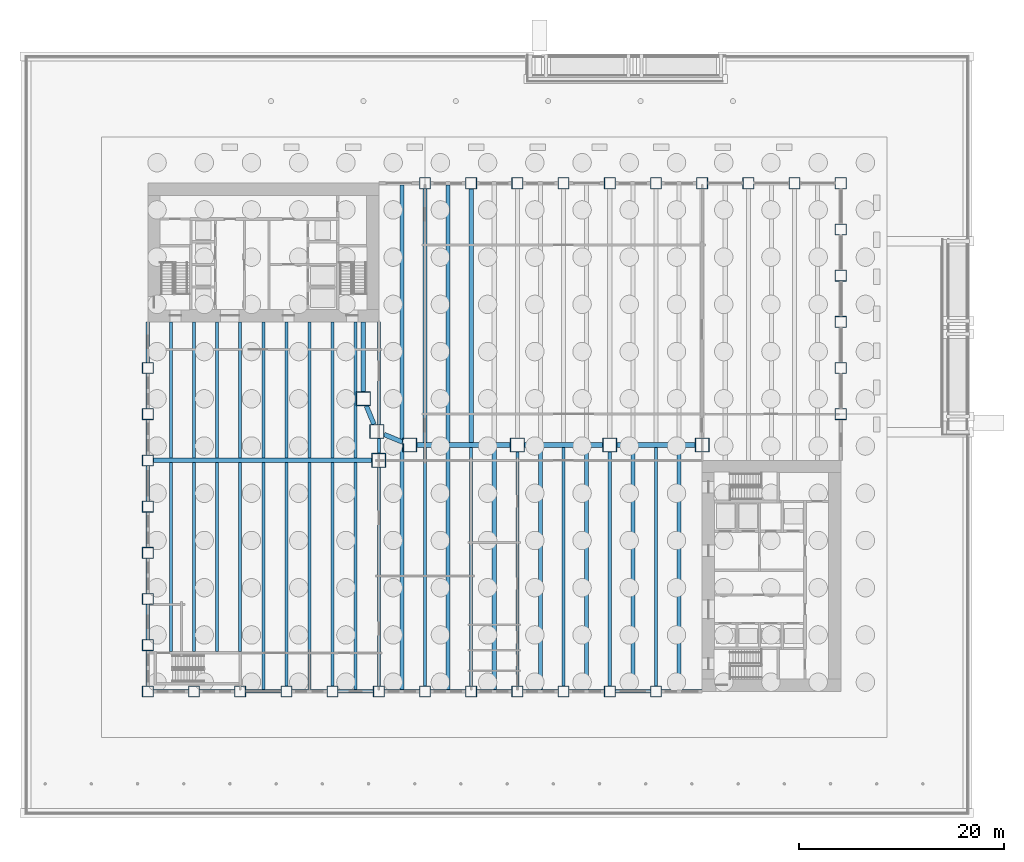
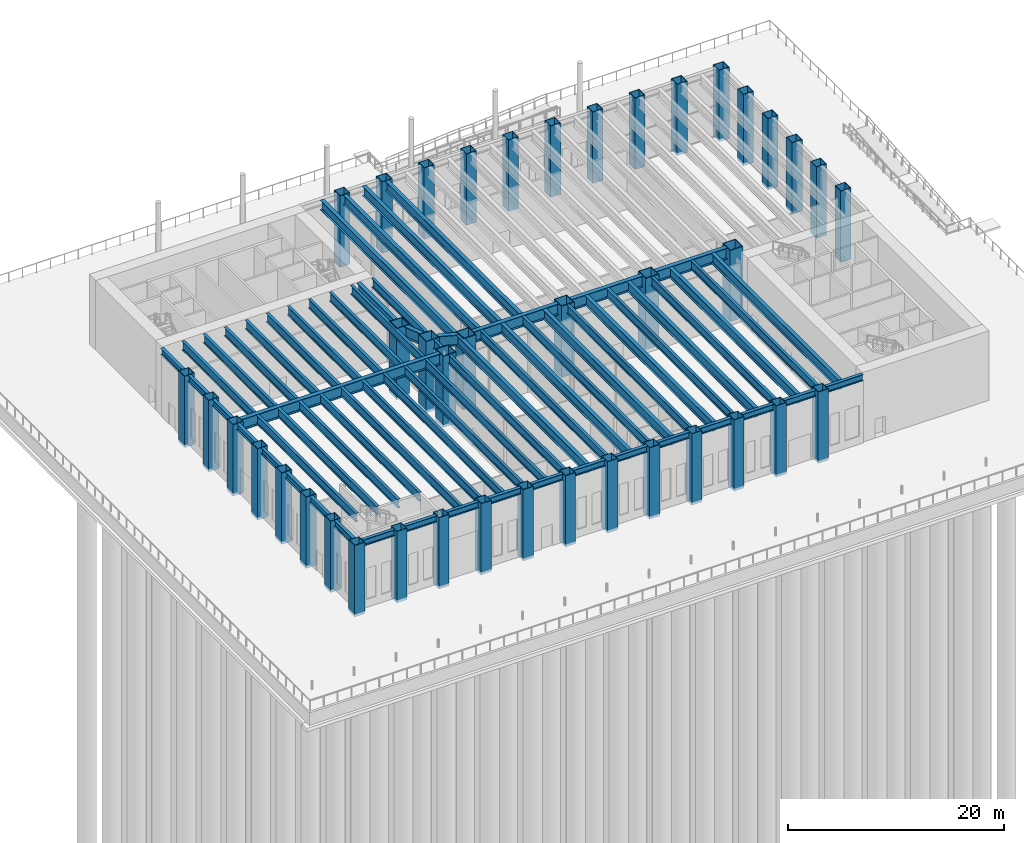
# One storey, part 2 of 26: 65 beams, 41 columns.
"""IFC4 building model written with IfcOpenShell, lengths in metres."""

from ifc_helpers import new_model, si_unit, direction, frame, origin, origin_2d, place, context, subcontext, project, spatial, hollow_rectangle, i_section, extrude, material, material_profile, profile_set, type_object, element, save


model = new_model("IFC4")

# Units and contexts
model_context = context("Model", 3, precision=1e-05, world=origin(), true_north=direction((0.0, 1.0)))
body_context = subcontext(model_context, "Body", "Model", "MODEL_VIEW")
ifc_project = project(units=[si_unit("LENGTHUNIT", "METRE"), si_unit("AREAUNIT", "SQUARE_METRE"), si_unit("VOLUMEUNIT", "CUBIC_METRE"), si_unit("PLANEANGLEUNIT", "RADIAN"), si_unit("MASSUNIT", "GRAM", prefix="KILO")], contexts=[model_context])

# Site, building, storey
site_placement = place(None, origin())
site = spatial("IfcSite", under=ifc_project, at=site_placement, CompositionType="ELEMENT")
building_placement = place(site_placement, origin())
building = spatial("IfcBuilding", under=site, at=building_placement, Name="Sennacour Bend Tower", CompositionType="ELEMENT")
storey_placement = place(building_placement, origin())
storey = spatial("IfcBuildingStorey", under=building, at=storey_placement, Name="L00", CompositionType="ELEMENT", Elevation=0.0)

# Columns
ifc_material_1 = material(Name="Steel ASTM A572 Grade 50", Category="steel")
ifc_material_profile_1 = material_profile(ifc_material_1, hollow_rectangle(XDim=1.10009765625, YDim=1.10009765625, WallThickness=0.06005859375, at=origin_2d()), Name="Steel ASTM A572 Grade 50", Category="steel")
ifc_profile_set_1 = profile_set([ifc_material_profile_1], Name="Steel ASTM A572 Grade 50")
column_type_1 = type_object("IfcColumnType", Name="Box column 1100", PredefinedType="COLUMN", material=ifc_profile_set_1)
for number, where, z_axis, x_axis, name in (
    (1, (0.0, 0.0, -0.300048828125), (0.0, 0.0, 1.0), (1.0, 0.0, 0.0), "Perimeter column C1 L00-001"),
    (2, (0.0, 4.5, -0.300048828125), (0.0, 0.0, 1.0), (1.0, 0.0, 0.0), "Perimeter column C1 L00-002"),
    (3, (0.0, 9.0, -0.300048828125), (0.0, 0.0, 1.0), (1.0, 0.0, 0.0), "Perimeter column C1 L00-003"),
    (4, (0.0, 13.5, -0.300048828125), (0.0, 0.0, 1.0), (1.0, 0.0, 0.0), "Perimeter column C1 L00-004"),
    (5, (0.0, 18.0, -0.300048828125), (0.0, 0.0, 1.0), (1.0, 0.0, 0.0), "Perimeter column C1 L00-005"),
    (6, (0.0, 22.5, -0.300048828125), (0.0, 0.0, 1.0), (1.0, 0.0, 0.0), "Perimeter column C1 L00-006"),
    (7, (0.0, 27.0, -0.300048828125), (0.0, 0.0, 1.0), (1.0, 0.0, 0.0), "Perimeter column C1 L00-007"),
    (8, (0.0, 31.5, -0.300048828125), (0.0, 0.0, 1.0), (1.0, 0.0, 0.0), "Perimeter column C1 L00-008"),
    (9, (4.5, 0.0, -0.300048828125), (0.0, 0.0, 1.0), (1.0, 0.0, 0.0), "Perimeter column C1 L00-009"),
    (10, (9.0, 0.0, -0.300048828125), (0.0, 0.0, 1.0), (1.0, 0.0, 0.0), "Perimeter column C1 L00-010"),
    (11, (13.5, 0.0, -0.300048828125), (0.0, 0.0, 1.0), (1.0, 0.0, 0.0), "Perimeter column C1 L00-011"),
    (12, (18.0, 0.0, -0.300048828125), (0.0, 0.0, 1.0), (1.0, 0.0, 0.0), "Perimeter column C1 L00-012"),
    (13, (22.5, 0.0, -0.300048828125), (0.0, 0.0, 1.0), (1.0, 0.0, 0.0), "Perimeter column C1 L00-015"),
    (14, (27.0, 0.0, -0.300048828125), (0.0, 0.0, 1.0), (1.0, 0.0, 0.0), "Perimeter column C1 L00-018"),
    (15, (27.0, 49.5, -0.300048828125), (0.0, 0.0, 1.0), (1.0, 0.0, 0.0), "Perimeter column C1 L00-019"),
    (16, (31.5, 0.0, -0.300048828125), (0.0, 0.0, 1.0), (1.0, 0.0, 0.0), "Perimeter column C1 L00-020"),
    (17, (31.5, 49.5, -0.300048828125), (0.0, 0.0, 1.0), (1.0, 0.0, 0.0), "Perimeter column C1 L00-021"),
    (18, (36.0, 0.0, -0.300048828125), (0.0, 0.0, 1.0), (1.0, 0.0, 0.0), "Perimeter column C1 L00-022"),
    (19, (36.0, 49.5, -0.300048828125), (0.0, 0.0, 1.0), (1.0, 0.0, 0.0), "Perimeter column C1 L00-024"),
    (20, (40.5, 0.0, -0.300048828125), (0.0, 0.0, 1.0), (1.0, 0.0, 0.0), "Perimeter column C1 L00-025"),
    (21, (40.5, 49.5, -0.300048828125), (0.0, 0.0, 1.0), (1.0, 0.0, 0.0), "Perimeter column C1 L00-026"),
    (22, (45.0, 0.0, -0.300048828125), (0.0, 0.0, 1.0), (1.0, 0.0, 0.0), "Perimeter column C1 L00-027"),
    (23, (45.0, 49.5, -0.300048828125), (0.0, 0.0, 1.0), (1.0, 0.0, 0.0), "Perimeter column C1 L00-029"),
    (24, (49.5, 0.0, -0.300048828125), (0.0, 0.0, 1.0), (1.0, 0.0, 0.0), "Perimeter column C1 L00-030"),
    (25, (49.5, 49.5, -0.300048828125), (0.0, 0.0, 1.0), (1.0, 0.0, 0.0), "Perimeter column C1 L00-031"),
    (26, (54.0, 49.5, -0.300048828125), (0.0, 0.0, 1.0), (1.0, 0.0, 0.0), "Perimeter column C1 L00-033"),
    (27, (58.5, 49.5, -0.300048828125), (0.0, 0.0, 1.0), (1.0, 0.0, 0.0), "Perimeter column C1 L00-034"),
    (28, (63.0, 49.5, -0.300048828125), (0.0, 0.0, 1.0), (1.0, 0.0, 0.0), "Perimeter column C1 L00-035"),
    (29, (67.5, 27.0, -0.300048828125), (0.0, 0.0, 1.0), (1.0, 0.0, 0.0), "Perimeter column C1 L00-036"),
    (30, (67.5, 31.5, -0.300048828125), (0.0, 0.0, 1.0), (1.0, 0.0, 0.0), "Perimeter column C1 L00-037"),
    (31, (67.5, 36.0, -0.300048828125), (0.0, 0.0, 1.0), (1.0, 0.0, 0.0), "Perimeter column C1 L00-038"),
    (32, (67.5, 40.5, -0.300048828125), (0.0, 0.0, 1.0), (1.0, 0.0, 0.0), "Perimeter column C1 L00-039"),
    (33, (67.5, 45.0, -0.300048828125), (0.0, 0.0, 1.0), (1.0, 0.0, 0.0), "Perimeter column C1 L00-040"),
    (34, (67.5, 49.5, -0.300048828125), (0.0, 0.0, 1.0), (1.0, 0.0, 0.0), "Perimeter column C1 L00-041"),
):
    element("IfcColumn", number, at=place(storey_placement, frame(where, z_axis=z_axis, x_axis=x_axis)), inside=storey, type_object=column_type_1, Name=name, PredefinedType="COLUMN", context=body_context, shape_type="SweptSolid", body=[
        extrude(hollow_rectangle(XDim=1.10009765625, YDim=1.10009765625, WallThickness=0.06005859375, at=origin_2d()), origin(), (0.0, 0.0, 1.0), 8.050048828125),
    ])
ifc_material_profile_2 = material_profile(ifc_material_1, hollow_rectangle(XDim=1.39990234375, YDim=1.39990234375, WallThickness=0.080078125, at=origin_2d()), Name="Steel ASTM A572 Grade 50", Category="steel")
ifc_profile_set_2 = profile_set([ifc_material_profile_2], Name="Steel ASTM A572 Grade 50")
column_type_2 = type_object("IfcColumnType", Name="Mega box column 1400", PredefinedType="COLUMN", material=ifc_profile_set_2)
for number, where, z_axis, x_axis, name in (
    (35, (21.0, 28.5, -0.300048828125), (0.0, 0.0, 1.0), (1.0, 0.0, 0.0), "Mega column C0 L00-013"),
    (36, (22.318115234375, 25.318115234375, -0.300048828125), (0.0, 0.0, 1.0), (1.0, 0.0, 0.0), "Mega column C0 L00-014"),
    (37, (22.5, 22.5, -0.300048828125), (0.0, 0.0, 1.0), (1.0, 0.0, 0.0), "Knuckle column C0 L00-016"),
    (38, (25.5, 24.0, -0.300048828125), (0.0, 0.0, 1.0), (1.0, 0.0, 0.0), "Mega column C0 L00-017"),
    (39, (36.0, 24.0, -0.300048828125), (0.0, 0.0, 1.0), (1.0, 0.0, 0.0), "Mega column C0 L00-023"),
    (40, (45.0, 24.0, -0.300048828125), (0.0, 0.0, 1.0), (1.0, 0.0, 0.0), "Mega column C0 L00-028"),
    (41, (54.0, 24.0, -0.300048828125), (0.0, 0.0, 1.0), (1.0, 0.0, 0.0), "Mega column C0 L00-032"),
):
    element("IfcColumn", number, at=place(storey_placement, frame(where, z_axis=z_axis, x_axis=x_axis)), inside=storey, type_object=column_type_2, Name=name, PredefinedType="COLUMN", context=body_context, shape_type="SweptSolid", body=[
        extrude(hollow_rectangle(XDim=1.39990234375, YDim=1.39990234375, WallThickness=0.080078125, at=origin_2d()), origin(), (0.0, 0.0, 1.0), 8.050048828125),
    ])

# Beams
ifc_material_2 = material(Name="Steel ASTM A992 Grade 50", Category="steel")
ifc_material_profile_3 = material_profile(ifc_material_2, i_section(OverallWidth=0.300048828125, OverallDepth=0.990966796875, WebThickness=0.0166015625, FlangeThickness=0.030517578125, FilletRadius=0.030029296875, at=origin_2d()), Name="Steel ASTM A992 Grade 50", Category="steel")
ifc_profile_set_3 = profile_set([ifc_material_profile_3], Name="Steel ASTM A992 Grade 50")
beam_type_1 = type_object("IfcBeamType", Name="Floor beam W1000X272", PredefinedType="BEAM", material=ifc_profile_set_3)
beam_1_placement = place(storey_placement, frame((2.25, 3.875, 7.25439453125), z_axis=(0.0, 1.0, 0.0), x_axis=(-1.0, 0.0, 0.0)))
element("IfcBeam", 42, at=beam_1_placement, inside=storey, type_object=beam_type_1, Name="Floor beam FBM3 L01-001", PredefinedType="BEAM", context=body_context, shape_type="SweptSolid", body=[
    extrude(i_section(OverallWidth=0.300048828125, OverallDepth=0.990966796875, WebThickness=0.0166015625, FlangeThickness=0.030517578125, FilletRadius=0.030029296875, at=origin_2d()), origin(), (0.0, 0.0, 1.0), 18.39990234375),
])
beam_2_placement = place(storey_placement, frame((2.25, 22.72509765625, 7.25439453125), z_axis=(0.0, 1.0, 0.0), x_axis=(-1.0, 0.0, 0.0)))
element("IfcBeam", 43, at=beam_2_placement, inside=storey, type_object=beam_type_1, Name="Floor beam FBM3 L01-002", PredefinedType="BEAM", context=body_context, shape_type="SweptSolid", body=[
    extrude(i_section(OverallWidth=0.300048828125, OverallDepth=0.990966796875, WebThickness=0.0166015625, FlangeThickness=0.030517578125, FilletRadius=0.030029296875, at=origin_2d()), origin(), (0.0, 0.0, 1.0), 13.27490234375),
])
beam_3_placement = place(storey_placement, frame((4.5, 3.875, 7.25439453125), z_axis=(0.0, 1.0, 0.0), x_axis=(-1.0, 0.0, 0.0)))
element("IfcBeam", 44, at=beam_3_placement, inside=storey, type_object=beam_type_1, Name="Floor beam FBM3 L01-003", PredefinedType="BEAM", context=body_context, shape_type="SweptSolid", body=[
    extrude(i_section(OverallWidth=0.300048828125, OverallDepth=0.990966796875, WebThickness=0.0166015625, FlangeThickness=0.030517578125, FilletRadius=0.030029296875, at=origin_2d()), origin(), (0.0, 0.0, 1.0), 18.39990234375),
])
beam_4_placement = place(storey_placement, frame((4.5, 22.72509765625, 7.25439453125), z_axis=(0.0, 1.0, 0.0), x_axis=(-1.0, 0.0, 0.0)))
element("IfcBeam", 45, at=beam_4_placement, inside=storey, type_object=beam_type_1, Name="Floor beam FBM3 L01-004", PredefinedType="BEAM", context=body_context, shape_type="SweptSolid", body=[
    extrude(i_section(OverallWidth=0.300048828125, OverallDepth=0.990966796875, WebThickness=0.0166015625, FlangeThickness=0.030517578125, FilletRadius=0.030029296875, at=origin_2d()), origin(), (0.0, 0.0, 1.0), 13.27490234375),
])
beam_5_placement = place(storey_placement, frame((6.75, 3.875, 7.25439453125), z_axis=(0.0, 1.0, 0.0), x_axis=(-1.0, 0.0, 0.0)))
element("IfcBeam", 46, at=beam_5_placement, inside=storey, type_object=beam_type_1, Name="Floor beam FBM3 L01-005", PredefinedType="BEAM", context=body_context, shape_type="SweptSolid", body=[
    extrude(i_section(OverallWidth=0.300048828125, OverallDepth=0.990966796875, WebThickness=0.0166015625, FlangeThickness=0.030517578125, FilletRadius=0.030029296875, at=origin_2d()), origin(), (0.0, 0.0, 1.0), 18.39990234375),
])
beam_6_placement = place(storey_placement, frame((6.75, 22.72509765625, 7.25439453125), z_axis=(0.0, 1.0, 0.0), x_axis=(-1.0, 0.0, 0.0)))
element("IfcBeam", 47, at=beam_6_placement, inside=storey, type_object=beam_type_1, Name="Floor beam FBM3 L01-006", PredefinedType="BEAM", context=body_context, shape_type="SweptSolid", body=[
    extrude(i_section(OverallWidth=0.300048828125, OverallDepth=0.990966796875, WebThickness=0.0166015625, FlangeThickness=0.030517578125, FilletRadius=0.030029296875, at=origin_2d()), origin(), (0.0, 0.0, 1.0), 13.27490234375),
])
beam_7_placement = place(storey_placement, frame((9.0, 3.875, 7.25439453125), z_axis=(0.0, 1.0, 0.0), x_axis=(-1.0, 0.0, 0.0)))
element("IfcBeam", 48, at=beam_7_placement, inside=storey, type_object=beam_type_1, Name="Floor beam FBM3 L01-007", PredefinedType="BEAM", context=body_context, shape_type="SweptSolid", body=[
    extrude(i_section(OverallWidth=0.300048828125, OverallDepth=0.990966796875, WebThickness=0.0166015625, FlangeThickness=0.030517578125, FilletRadius=0.030029296875, at=origin_2d()), origin(), (0.0, 0.0, 1.0), 18.39990234375),
])
beam_8_placement = place(storey_placement, frame((9.0, 22.72509765625, 7.25439453125), z_axis=(0.0, 1.0, 0.0), x_axis=(-1.0, 0.0, 0.0)))
element("IfcBeam", 49, at=beam_8_placement, inside=storey, type_object=beam_type_1, Name="Floor beam FBM3 L01-008", PredefinedType="BEAM", context=body_context, shape_type="SweptSolid", body=[
    extrude(i_section(OverallWidth=0.300048828125, OverallDepth=0.990966796875, WebThickness=0.0166015625, FlangeThickness=0.030517578125, FilletRadius=0.030029296875, at=origin_2d()), origin(), (0.0, 0.0, 1.0), 13.27490234375),
])
beam_9_placement = place(storey_placement, frame((11.25, 0.177978515625, 7.25439453125), z_axis=(0.0, 1.0, 0.0), x_axis=(-1.0, 0.0, 0.0)))
element("IfcBeam", 50, at=beam_9_placement, inside=storey, type_object=beam_type_1, Name="Floor beam FBM3 L01-009", PredefinedType="BEAM", context=body_context, shape_type="SweptSolid", body=[
    extrude(i_section(OverallWidth=0.300048828125, OverallDepth=0.990966796875, WebThickness=0.0166015625, FlangeThickness=0.030517578125, FilletRadius=0.030029296875, at=origin_2d()), origin(), (0.0, 0.0, 1.0), 22.096923828125),
])
beam_10_placement = place(storey_placement, frame((11.25, 22.72509765625, 7.25439453125), z_axis=(0.0, 1.0, 0.0), x_axis=(-1.0, 0.0, 0.0)))
element("IfcBeam", 51, at=beam_10_placement, inside=storey, type_object=beam_type_1, Name="Floor beam FBM3 L01-010", PredefinedType="BEAM", context=body_context, shape_type="SweptSolid", body=[
    extrude(i_section(OverallWidth=0.300048828125, OverallDepth=0.990966796875, WebThickness=0.0166015625, FlangeThickness=0.030517578125, FilletRadius=0.030029296875, at=origin_2d()), origin(), (0.0, 0.0, 1.0), 13.27490234375),
])
beam_11_placement = place(storey_placement, frame((13.5, 0.550048828125, 7.25439453125), z_axis=(0.0, 1.0, 0.0), x_axis=(-1.0, 0.0, 0.0)))
element("IfcBeam", 52, at=beam_11_placement, inside=storey, type_object=beam_type_1, Name="Floor beam FBM3 L01-011", PredefinedType="BEAM", context=body_context, shape_type="SweptSolid", body=[
    extrude(i_section(OverallWidth=0.300048828125, OverallDepth=0.990966796875, WebThickness=0.0166015625, FlangeThickness=0.030517578125, FilletRadius=0.030029296875, at=origin_2d()), origin(), (0.0, 0.0, 1.0), 21.724853515625),
])
beam_12_placement = place(storey_placement, frame((13.5, 22.72509765625, 7.25439453125), z_axis=(0.0, 1.0, 0.0), x_axis=(-1.0, 0.0, 0.0)))
element("IfcBeam", 53, at=beam_12_placement, inside=storey, type_object=beam_type_1, Name="Floor beam FBM3 L01-012", PredefinedType="BEAM", context=body_context, shape_type="SweptSolid", body=[
    extrude(i_section(OverallWidth=0.300048828125, OverallDepth=0.990966796875, WebThickness=0.0166015625, FlangeThickness=0.030517578125, FilletRadius=0.030029296875, at=origin_2d()), origin(), (0.0, 0.0, 1.0), 13.27490234375),
])
beam_13_placement = place(storey_placement, frame((15.75, 0.177978515625, 7.25439453125), z_axis=(0.0, 1.0, 0.0), x_axis=(-1.0, 0.0, 0.0)))
element("IfcBeam", 54, at=beam_13_placement, inside=storey, type_object=beam_type_1, Name="Floor beam FBM3 L01-013", PredefinedType="BEAM", context=body_context, shape_type="SweptSolid", body=[
    extrude(i_section(OverallWidth=0.300048828125, OverallDepth=0.990966796875, WebThickness=0.0166015625, FlangeThickness=0.030517578125, FilletRadius=0.030029296875, at=origin_2d()), origin(), (0.0, 0.0, 1.0), 22.096923828125),
])
beam_14_placement = place(storey_placement, frame((15.75, 22.72509765625, 7.25439453125), z_axis=(0.0, 1.0, 0.0), x_axis=(-1.0, 0.0, 0.0)))
element("IfcBeam", 55, at=beam_14_placement, inside=storey, type_object=beam_type_1, Name="Floor beam FBM3 L01-014", PredefinedType="BEAM", context=body_context, shape_type="SweptSolid", body=[
    extrude(i_section(OverallWidth=0.300048828125, OverallDepth=0.990966796875, WebThickness=0.0166015625, FlangeThickness=0.030517578125, FilletRadius=0.030029296875, at=origin_2d()), origin(), (0.0, 0.0, 1.0), 13.27490234375),
])
beam_15_placement = place(storey_placement, frame((18.0, 0.550048828125, 7.25439453125), z_axis=(0.0, 1.0, 0.0), x_axis=(-1.0, 0.0, 0.0)))
element("IfcBeam", 56, at=beam_15_placement, inside=storey, type_object=beam_type_1, Name="Floor beam FBM3 L01-015", PredefinedType="BEAM", context=body_context, shape_type="SweptSolid", body=[
    extrude(i_section(OverallWidth=0.300048828125, OverallDepth=0.990966796875, WebThickness=0.0166015625, FlangeThickness=0.030517578125, FilletRadius=0.030029296875, at=origin_2d()), origin(), (0.0, 0.0, 1.0), 21.724853515625),
])
beam_16_placement = place(storey_placement, frame((18.0, 22.72509765625, 7.25439453125), z_axis=(0.0, 1.0, 0.0), x_axis=(-1.0, 0.0, 0.0)))
element("IfcBeam", 57, at=beam_16_placement, inside=storey, type_object=beam_type_1, Name="Floor beam FBM3 L01-016", PredefinedType="BEAM", context=body_context, shape_type="SweptSolid", body=[
    extrude(i_section(OverallWidth=0.300048828125, OverallDepth=0.990966796875, WebThickness=0.0166015625, FlangeThickness=0.030517578125, FilletRadius=0.030029296875, at=origin_2d()), origin(), (0.0, 0.0, 1.0), 13.27490234375),
])
beam_17_placement = place(storey_placement, frame((20.25, 0.177978515625, 7.25439453125), z_axis=(0.0, 1.0, 0.0), x_axis=(-1.0, 0.0, 0.0)))
element("IfcBeam", 58, at=beam_17_placement, inside=storey, type_object=beam_type_1, Name="Floor beam FBM3 L01-017", PredefinedType="BEAM", context=body_context, shape_type="SweptSolid", body=[
    extrude(i_section(OverallWidth=0.300048828125, OverallDepth=0.990966796875, WebThickness=0.0166015625, FlangeThickness=0.030517578125, FilletRadius=0.030029296875, at=origin_2d()), origin(), (0.0, 0.0, 1.0), 22.096923828125),
])
beam_18_placement = place(storey_placement, frame((20.25, 22.72509765625, 7.25439453125), z_axis=(0.0, 1.0, 0.0), x_axis=(-1.0, 0.0, 0.0)))
element("IfcBeam", 59, at=beam_18_placement, inside=storey, type_object=beam_type_1, Name="Floor beam FBM3 L01-018", PredefinedType="BEAM", context=body_context, shape_type="SweptSolid", body=[
    extrude(i_section(OverallWidth=0.300048828125, OverallDepth=0.990966796875, WebThickness=0.0166015625, FlangeThickness=0.030517578125, FilletRadius=0.030029296875, at=origin_2d()), origin(), (0.0, 0.0, 1.0), 13.27490234375),
])
beam_19_placement = place(storey_placement, frame((22.5, 0.550048828125, 7.25439453125), z_axis=(0.0, 1.0, 0.0), x_axis=(-1.0, 0.0, 0.0)))
element("IfcBeam", 60, at=beam_19_placement, inside=storey, type_object=beam_type_1, Name="Floor beam FBM3 L01-019", PredefinedType="BEAM", context=body_context, shape_type="SweptSolid", body=[
    extrude(i_section(OverallWidth=0.300048828125, OverallDepth=0.990966796875, WebThickness=0.0166015625, FlangeThickness=0.030517578125, FilletRadius=0.030029296875, at=origin_2d()), origin(), (0.0, 0.0, 1.0), 21.25),
])
beam_20_placement = place(storey_placement, frame((22.5, 23.199951171875, 7.25439453125), z_axis=(0.0, 1.0, 0.0), x_axis=(-1.0, 0.0, 0.0)))
element("IfcBeam", 61, at=beam_20_placement, inside=storey, type_object=beam_type_1, Name="Floor beam FBM3 L01-020", PredefinedType="BEAM", context=body_context, shape_type="SweptSolid", body=[
    extrude(i_section(OverallWidth=0.300048828125, OverallDepth=0.990966796875, WebThickness=0.0166015625, FlangeThickness=0.030517578125, FilletRadius=0.030029296875, at=origin_2d()), origin(), (0.0, 0.0, 1.0), 1.41796875),
])
beam_21_placement = place(storey_placement, frame((22.5, 26.01806640625, 7.25439453125), z_axis=(0.0, 1.0, 0.0), x_axis=(-1.0, 0.0, 0.0)))
element("IfcBeam", 62, at=beam_21_placement, inside=storey, type_object=beam_type_1, Name="Floor beam FBM3 L01-021", PredefinedType="BEAM", context=body_context, shape_type="SweptSolid", body=[
    extrude(i_section(OverallWidth=0.300048828125, OverallDepth=0.990966796875, WebThickness=0.0166015625, FlangeThickness=0.030517578125, FilletRadius=0.030029296875, at=origin_2d()), origin(), (0.0, 0.0, 1.0), 9.98193359375),
])
for number, where, z_axis, x_axis, name in (
    (63, (27.0, 0.550048828125, 7.25439453125), (0.0, 1.0, 0.0), (-1.0, 0.0, 0.0), "Floor beam FBM3 L01-024"),
    (64, (31.5, 0.550048828125, 7.25439453125), (0.0, 1.0, 0.0), (-1.0, 0.0, 0.0), "Floor beam FBM3 L01-028"),
):
    element("IfcBeam", number, at=place(storey_placement, frame(where, z_axis=z_axis, x_axis=x_axis)), inside=storey, type_object=beam_type_1, Name=name, PredefinedType="BEAM", context=body_context, shape_type="SweptSolid", body=[
        extrude(i_section(OverallWidth=0.300048828125, OverallDepth=0.990966796875, WebThickness=0.0166015625, FlangeThickness=0.030517578125, FilletRadius=0.030029296875, at=origin_2d()), origin(), (0.0, 0.0, 1.0), 23.224853515625),
    ])
beam_22_placement = place(storey_placement, frame((36.0, 0.550048828125, 7.25439453125), z_axis=(0.0, 1.0, 0.0), x_axis=(-1.0, 0.0, 0.0)))
element("IfcBeam", 65, at=beam_22_placement, inside=storey, type_object=beam_type_1, Name="Floor beam FBM3 L01-032", PredefinedType="BEAM", context=body_context, shape_type="SweptSolid", body=[
    extrude(i_section(OverallWidth=0.300048828125, OverallDepth=0.990966796875, WebThickness=0.0166015625, FlangeThickness=0.030517578125, FilletRadius=0.030029296875, at=origin_2d()), origin(), (0.0, 0.0, 1.0), 22.75),
])
beam_23_placement = place(storey_placement, frame((40.5, 0.550048828125, 7.25439453125), z_axis=(0.0, 1.0, 0.0), x_axis=(-1.0, 0.0, 0.0)))
element("IfcBeam", 66, at=beam_23_placement, inside=storey, type_object=beam_type_1, Name="Floor beam FBM3 L01-036", PredefinedType="BEAM", context=body_context, shape_type="SweptSolid", body=[
    extrude(i_section(OverallWidth=0.300048828125, OverallDepth=0.990966796875, WebThickness=0.0166015625, FlangeThickness=0.030517578125, FilletRadius=0.030029296875, at=origin_2d()), origin(), (0.0, 0.0, 1.0), 23.224853515625),
])
beam_24_placement = place(storey_placement, frame((45.0, 0.550048828125, 7.25439453125), z_axis=(0.0, 1.0, 0.0), x_axis=(-1.0, 0.0, 0.0)))
element("IfcBeam", 67, at=beam_24_placement, inside=storey, type_object=beam_type_1, Name="Floor beam FBM3 L01-040", PredefinedType="BEAM", context=body_context, shape_type="SweptSolid", body=[
    extrude(i_section(OverallWidth=0.300048828125, OverallDepth=0.990966796875, WebThickness=0.0166015625, FlangeThickness=0.030517578125, FilletRadius=0.030029296875, at=origin_2d()), origin(), (0.0, 0.0, 1.0), 22.75),
])
beam_25_placement = place(storey_placement, frame((49.5, 0.550048828125, 7.25439453125), z_axis=(0.0, 1.0, 0.0), x_axis=(-1.0, 0.0, 0.0)))
element("IfcBeam", 68, at=beam_25_placement, inside=storey, type_object=beam_type_1, Name="Floor beam FBM3 L01-044", PredefinedType="BEAM", context=body_context, shape_type="SweptSolid", body=[
    extrude(i_section(OverallWidth=0.300048828125, OverallDepth=0.990966796875, WebThickness=0.0166015625, FlangeThickness=0.030517578125, FilletRadius=0.030029296875, at=origin_2d()), origin(), (0.0, 0.0, 1.0), 23.224853515625),
])
ifc_material_profile_4 = material_profile(ifc_material_1, i_section(OverallWidth=0.449951171875, OverallDepth=1.25, WebThickness=0.028076171875, FlangeThickness=0.050048828125, at=origin_2d()), Name="Steel ASTM A572 Grade 50", Category="steel")
ifc_profile_set_4 = profile_set([ifc_material_profile_4], Name="Steel ASTM A572 Grade 50")
beam_type_2 = type_object("IfcBeamType", Name="Knuckle girder 1250", PredefinedType="USERDEFINED", material=ifc_profile_set_4)
for number, where, z_axis, x_axis, name in (
    (69, (24.800048828125, 24.2900390625, 7.125), (-0.923894961945, 0.382646180293, 0.0), (-0.382646180293, -0.923894961945, 0.0), "Podium girder GK L01-001"),
    (70, (22.028076171875, 26.01806640625, 7.125), (-0.382646180293, 0.923894961945, 0.0), (-0.923894961945, -0.382646180293, 0.0), "Podium girder GK L01-002"),
):
    element("IfcBeam", number, at=place(storey_placement, frame(where, z_axis=z_axis, x_axis=x_axis)), inside=storey, type_object=beam_type_2, Name=name, ObjectType="KNUCKLE GIRDER", PredefinedType="USERDEFINED", context=body_context, shape_type="SweptSolid", body=[
        extrude(i_section(OverallWidth=0.449951171875, OverallDepth=1.25, WebThickness=0.028076171875, FlangeThickness=0.050048828125, at=origin_2d()), origin(), (0.0, 0.0, 1.0), 1.9287109375),
    ])
for number, where, z_axis, x_axis, name in (
    (71, (53.300048828125, 24.0, 7.125), (-1.0, 0.0, 0.0), (0.0, -1.0, 0.0), "Podium girder GK L01-003"),
    (72, (44.300048828125, 24.0, 7.125), (-1.0, 0.0, 0.0), (0.0, -1.0, 0.0), "Podium girder GK L01-004"),
):
    element("IfcBeam", number, at=place(storey_placement, frame(where, z_axis=z_axis, x_axis=x_axis)), inside=storey, type_object=beam_type_2, Name=name, ObjectType="KNUCKLE GIRDER", PredefinedType="USERDEFINED", context=body_context, shape_type="SweptSolid", body=[
        extrude(i_section(OverallWidth=0.449951171875, OverallDepth=1.25, WebThickness=0.028076171875, FlangeThickness=0.050048828125, at=origin_2d()), origin(), (0.0, 0.0, 1.0), 7.60009765625),
    ])
beam_26_placement = place(storey_placement, frame((35.300048828125, 24.0, 7.125), z_axis=(-1.0, 0.0, 0.0), x_axis=(0.0, -1.0, 0.0)))
element("IfcBeam", 73, at=beam_26_placement, inside=storey, type_object=beam_type_2, Name="Podium girder GK L01-005", ObjectType="KNUCKLE GIRDER", PredefinedType="USERDEFINED", context=body_context, shape_type="SweptSolid", body=[
    extrude(i_section(OverallWidth=0.449951171875, OverallDepth=1.25, WebThickness=0.028076171875, FlangeThickness=0.050048828125, at=origin_2d()), origin(), (0.0, 0.0, 1.0), 9.10009765625),
])
beam_27_placement = place(storey_placement, frame((21.0, 29.199951171875, 7.125), z_axis=(0.0, 1.0, 0.0), x_axis=(-1.0, 0.0, 0.0)))
element("IfcBeam", 74, at=beam_27_placement, inside=storey, type_object=beam_type_2, Name="Podium girder GK L01-006", ObjectType="KNUCKLE GIRDER", PredefinedType="USERDEFINED", context=body_context, shape_type="SweptSolid", body=[
    extrude(i_section(OverallWidth=0.449951171875, OverallDepth=1.25, WebThickness=0.028076171875, FlangeThickness=0.050048828125, at=origin_2d()), origin(), (0.0, 0.0, 1.0), 6.800048828125),
])
beam_28_placement = place(storey_placement, frame((0.550048828125, 22.5, 7.125), z_axis=(1.0, 0.0, 0.0), x_axis=(0.0, 1.0, 0.0)))
element("IfcBeam", 75, at=beam_28_placement, inside=storey, type_object=beam_type_2, Name="Knuckle girder GK L01-001", ObjectType="KNUCKLE GIRDER", PredefinedType="USERDEFINED", context=body_context, shape_type="SweptSolid", body=[
    extrude(i_section(OverallWidth=0.449951171875, OverallDepth=1.25, WebThickness=0.028076171875, FlangeThickness=0.050048828125, at=origin_2d()), origin(), (0.0, 0.0, 1.0), 21.25),
])
ifc_material_profile_5 = material_profile(ifc_material_2, i_section(OverallWidth=0.40087890625, OverallDepth=1.090087890625, WebThickness=0.01806640625, FlangeThickness=0.031005859375, FilletRadius=0.02001953125, at=origin_2d()), Name="Steel ASTM A992 Grade 50", Category="steel")
ifc_profile_set_5 = profile_set([ifc_material_profile_5], Name="Steel ASTM A992 Grade 50")
beam_type_3 = type_object("IfcBeamType", Name="Notch floor beam W1100X343", PredefinedType="BEAM", material=ifc_profile_set_5)
beam_29_placement = place(storey_placement, frame((24.75, 0.177978515625, 7.205078125), z_axis=(0.0, 1.0, 0.0), x_axis=(-1.0, 0.0, 0.0)))
element("IfcBeam", 76, at=beam_29_placement, inside=storey, type_object=beam_type_3, Name="Floor beam FBM4 L01-022", PredefinedType="BEAM", context=body_context, shape_type="SweptSolid", body=[
    extrude(i_section(OverallWidth=0.40087890625, OverallDepth=1.090087890625, WebThickness=0.01806640625, FlangeThickness=0.031005859375, FilletRadius=0.02001953125, at=origin_2d()), origin(), (0.0, 0.0, 1.0), 23.9912109375),
])
beam_30_placement = place(storey_placement, frame((24.75, 24.55419921875, 7.205078125), z_axis=(0.0, 1.0, 0.0), x_axis=(-1.0, 0.0, 0.0)))
element("IfcBeam", 77, at=beam_30_placement, inside=storey, type_object=beam_type_3, Name="Floor beam FBM4 L01-023", PredefinedType="BEAM", context=body_context, shape_type="SweptSolid", body=[
    extrude(i_section(OverallWidth=0.40087890625, OverallDepth=1.090087890625, WebThickness=0.01806640625, FlangeThickness=0.031005859375, FilletRadius=0.02001953125, at=origin_2d()), origin(), (0.0, 0.0, 1.0), 24.767822265625),
])
beam_31_placement = place(storey_placement, frame((27.0, 24.22509765625, 7.205078125), z_axis=(0.0, 1.0, 0.0), x_axis=(-1.0, 0.0, 0.0)))
element("IfcBeam", 78, at=beam_31_placement, inside=storey, type_object=beam_type_3, Name="Floor beam FBM4 L01-025", PredefinedType="BEAM", context=body_context, shape_type="SweptSolid", body=[
    extrude(i_section(OverallWidth=0.40087890625, OverallDepth=1.090087890625, WebThickness=0.01806640625, FlangeThickness=0.031005859375, FilletRadius=0.02001953125, at=origin_2d()), origin(), (0.0, 0.0, 1.0), 24.724853515625),
])
beam_32_placement = place(storey_placement, frame((29.25, 0.177978515625, 7.205078125), z_axis=(0.0, 1.0, 0.0), x_axis=(-1.0, 0.0, 0.0)))
element("IfcBeam", 79, at=beam_32_placement, inside=storey, type_object=beam_type_3, Name="Floor beam FBM4 L01-026", PredefinedType="BEAM", context=body_context, shape_type="SweptSolid", body=[
    extrude(i_section(OverallWidth=0.40087890625, OverallDepth=1.090087890625, WebThickness=0.01806640625, FlangeThickness=0.031005859375, FilletRadius=0.02001953125, at=origin_2d()), origin(), (0.0, 0.0, 1.0), 23.596923828125),
])
beam_33_placement = place(storey_placement, frame((29.25, 24.22509765625, 7.205078125), z_axis=(0.0, 1.0, 0.0), x_axis=(-1.0, 0.0, 0.0)))
element("IfcBeam", 80, at=beam_33_placement, inside=storey, type_object=beam_type_3, Name="Floor beam FBM4 L01-027", PredefinedType="BEAM", context=body_context, shape_type="SweptSolid", body=[
    extrude(i_section(OverallWidth=0.40087890625, OverallDepth=1.090087890625, WebThickness=0.01806640625, FlangeThickness=0.031005859375, FilletRadius=0.02001953125, at=origin_2d()), origin(), (0.0, 0.0, 1.0), 25.096923828125),
])
beam_34_placement = place(storey_placement, frame((31.5, 24.22509765625, 7.205078125), z_axis=(0.0, 1.0, 0.0), x_axis=(-1.0, 0.0, 0.0)))
element("IfcBeam", 81, at=beam_34_placement, inside=storey, type_object=beam_type_3, Name="Floor beam FBM4 L01-029", PredefinedType="BEAM", context=body_context, shape_type="SweptSolid", body=[
    extrude(i_section(OverallWidth=0.40087890625, OverallDepth=1.090087890625, WebThickness=0.01806640625, FlangeThickness=0.031005859375, FilletRadius=0.02001953125, at=origin_2d()), origin(), (0.0, 0.0, 1.0), 24.724853515625),
])
for number, where, z_axis, x_axis, name in (
    (82, (33.75, 0.177978515625, 7.205078125), (0.0, 1.0, 0.0), (-1.0, 0.0, 0.0), "Floor beam FBM4 L01-030"),
    (83, (38.25, 0.177978515625, 7.205078125), (0.0, 1.0, 0.0), (-1.0, 0.0, 0.0), "Floor beam FBM4 L01-034"),
    (84, (42.75, 0.177978515625, 7.205078125), (0.0, 1.0, 0.0), (-1.0, 0.0, 0.0), "Floor beam FBM4 L01-038"),
    (85, (47.25, 0.177978515625, 7.205078125), (0.0, 1.0, 0.0), (-1.0, 0.0, 0.0), "Floor beam FBM4 L01-042"),
    (86, (51.75, 0.177978515625, 7.205078125), (0.0, 1.0, 0.0), (-1.0, 0.0, 0.0), "Floor beam FBM4 L01-046"),
):
    element("IfcBeam", number, at=place(storey_placement, frame(where, z_axis=z_axis, x_axis=x_axis)), inside=storey, type_object=beam_type_3, Name=name, PredefinedType="BEAM", context=body_context, shape_type="SweptSolid", body=[
        extrude(i_section(OverallWidth=0.40087890625, OverallDepth=1.090087890625, WebThickness=0.01806640625, FlangeThickness=0.031005859375, FilletRadius=0.02001953125, at=origin_2d()), origin(), (0.0, 0.0, 1.0), 23.596923828125),
    ])
ifc_material_profile_6 = material_profile(ifc_material_2, i_section(OverallWidth=0.35595703125, OverallDepth=0.714111328125, WebThickness=0.01904296875, FlangeThickness=0.033935546875, FilletRadius=0.02001953125, at=origin_2d()), Name="Steel ASTM A992 Grade 50", Category="steel")
ifc_profile_set_6 = profile_set([ifc_material_profile_6], Name="Steel ASTM A992 Grade 50")
beam_type_4 = type_object("IfcBeamType", Name="Spandrel beam W690X289", PredefinedType="SPANDREL", material=ifc_profile_set_6)
beam_35_placement = place(storey_placement, frame((0.0, 36.0, 7.39306640625), z_axis=(0.0, -1.0, 0.0), x_axis=(1.0, 0.0, 0.0)))
element("IfcBeam", 87, at=beam_35_placement, inside=storey, type_object=beam_type_4, Name="Spandrel beam SP1 L01-016", PredefinedType="SPANDREL", context=body_context, shape_type="SweptSolid", body=[
    extrude(i_section(OverallWidth=0.35595703125, OverallDepth=0.714111328125, WebThickness=0.01904296875, FlangeThickness=0.033935546875, FilletRadius=0.02001953125, at=origin_2d()), origin(), (0.0, 0.0, 1.0), 3.949951171875),
])
for number, where, z_axis, x_axis, name in (
    (88, (0.0, 30.949951171875, 7.39306640625), (0.0, -1.0, 0.0), (1.0, 0.0, 0.0), "Spandrel beam SP1 L01-017"),
    (89, (0.0, 26.449951171875, 7.39306640625), (0.0, -1.0, 0.0), (1.0, 0.0, 0.0), "Spandrel beam SP1 L01-018"),
    (90, (0.0, 21.949951171875, 7.39306640625), (0.0, -1.0, 0.0), (1.0, 0.0, 0.0), "Spandrel beam SP1 L01-019"),
    (91, (0.0, 17.449951171875, 7.39306640625), (0.0, -1.0, 0.0), (1.0, 0.0, 0.0), "Spandrel beam SP1 L01-020"),
    (92, (0.0, 12.949951171875, 7.39306640625), (0.0, -1.0, 0.0), (1.0, 0.0, 0.0), "Spandrel beam SP1 L01-021"),
    (93, (0.0, 8.449951171875, 7.39306640625), (0.0, -1.0, 0.0), (1.0, 0.0, 0.0), "Spandrel beam SP1 L01-022"),
    (94, (0.0, 3.949951171875, 7.39306640625), (0.0, -1.0, 0.0), (1.0, 0.0, 0.0), "Spandrel beam SP1 L01-023"),
    (95, (0.550048828125, 0.0, 7.39306640625), (1.0, 0.0, 0.0), (0.0, 1.0, 0.0), "Spandrel beam SP1 L01-024"),
    (96, (5.050048828125, 0.0, 7.39306640625), (1.0, 0.0, 0.0), (0.0, 1.0, 0.0), "Spandrel beam SP1 L01-025"),
    (97, (9.550048828125, 0.0, 7.39306640625), (1.0, 0.0, 0.0), (0.0, 1.0, 0.0), "Spandrel beam SP1 L01-026"),
    (98, (14.050048828125, 0.0, 7.39306640625), (1.0, 0.0, 0.0), (0.0, 1.0, 0.0), "Spandrel beam SP1 L01-027"),
    (99, (18.550048828125, 0.0, 7.39306640625), (1.0, 0.0, 0.0), (0.0, 1.0, 0.0), "Spandrel beam SP1 L01-028"),
    (100, (23.050048828125, 0.0, 7.39306640625), (1.0, 0.0, 0.0), (0.0, 1.0, 0.0), "Spandrel beam SP1 L01-029"),
    (101, (27.550048828125, 0.0, 7.39306640625), (1.0, 0.0, 0.0), (0.0, 1.0, 0.0), "Spandrel beam SP1 L01-030"),
    (102, (32.050048828125, 0.0, 7.39306640625), (1.0, 0.0, 0.0), (0.0, 1.0, 0.0), "Spandrel beam SP1 L01-031"),
    (103, (36.550048828125, 0.0, 7.39306640625), (1.0, 0.0, 0.0), (0.0, 1.0, 0.0), "Spandrel beam SP1 L01-032"),
    (104, (41.050048828125, 0.0, 7.39306640625), (1.0, 0.0, 0.0), (0.0, 1.0, 0.0), "Spandrel beam SP1 L01-033"),
    (105, (45.550048828125, 0.0, 7.39306640625), (1.0, 0.0, 0.0), (0.0, 1.0, 0.0), "Spandrel beam SP1 L01-034"),
):
    element("IfcBeam", number, at=place(storey_placement, frame(where, z_axis=z_axis, x_axis=x_axis)), inside=storey, type_object=beam_type_4, Name=name, PredefinedType="SPANDREL", context=body_context, shape_type="SweptSolid", body=[
        extrude(i_section(OverallWidth=0.35595703125, OverallDepth=0.714111328125, WebThickness=0.01904296875, FlangeThickness=0.033935546875, FilletRadius=0.02001953125, at=origin_2d()), origin(), (0.0, 0.0, 1.0), 3.39990234375),
    ])
beam_36_placement = place(storey_placement, frame((50.050048828125, 0.0, 7.39306640625), z_axis=(1.0, 0.0, 0.0), x_axis=(0.0, 1.0, 0.0)))
element("IfcBeam", 106, at=beam_36_placement, inside=storey, type_object=beam_type_4, Name="Spandrel beam SP1 L01-035", PredefinedType="SPANDREL", context=body_context, shape_type="SweptSolid", body=[
    extrude(i_section(OverallWidth=0.35595703125, OverallDepth=0.714111328125, WebThickness=0.01904296875, FlangeThickness=0.033935546875, FilletRadius=0.02001953125, at=origin_2d()), origin(), (0.0, 0.0, 1.0), 3.949951171875),
])

save(model, "model.ifc")
